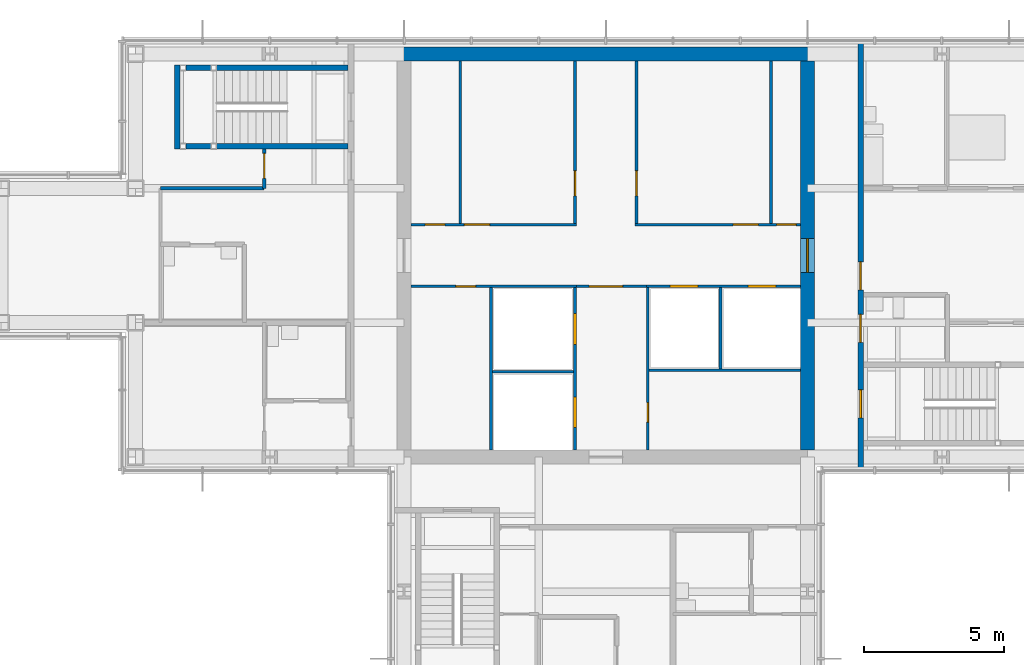
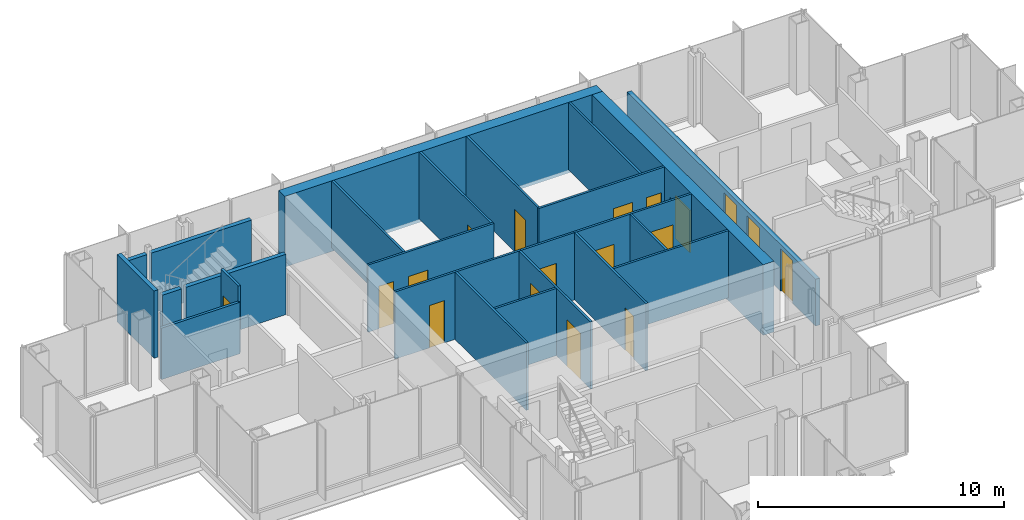
# One storey, part 11 of 15: 25 walls, 18 doors, 18 openings.
"""IFC4 building model written with IfcOpenShell, lengths in metres."""

from ifc_helpers import new_model, si_unit, direction, frame, frame_2d, origin, place, context, subcontext, project, spatial, rectangle, extrude, material, layer, layer_set, type_object, element, fill, save


model = new_model("IFC4")

# Units and contexts
model_context = context("Model", 3, precision=1e-05, world=origin(), true_north=direction((0.0, 1.0)))
body_context = subcontext(model_context, "Body", "Model", "MODEL_VIEW")
ifc_project = project(units=[si_unit("LENGTHUNIT", "METRE"), si_unit("AREAUNIT", "SQUARE_METRE"), si_unit("VOLUMEUNIT", "CUBIC_METRE"), si_unit("PLANEANGLEUNIT", "RADIAN"), si_unit("MASSUNIT", "GRAM", prefix="KILO")], contexts=[model_context])

# Site, building, storey
site_placement = place(None, origin())
site = spatial("IfcSite", under=ifc_project, at=site_placement, CompositionType="ELEMENT")
building_placement = place(site_placement, origin())
building = spatial("IfcBuilding", under=site, at=building_placement, Name="Kvirike Care Tower", CompositionType="ELEMENT")
storey_placement = place(building_placement, frame((0.0, 0.0, 229.5)))
storey = spatial("IfcBuildingStorey", under=building, at=storey_placement, Name="L63", CompositionType="ELEMENT", Elevation=229.5)

# Wall
ifc_material_1 = material(Name="Concrete C40/50", Category="concrete")
ifc_layer_1 = layer(ifc_material_1, 0.5)
ifc_layer_set_1 = layer_set([ifc_layer_1], Name="CORE WALL 500 C40-50")
wall_type_1 = type_object("IfcWallType", Name="CORE WALL 500 C40-50", PredefinedType="SHEAR", material=ifc_layer_set_1)
wall_1_placement = place(storey_placement, frame((29.050048828125, 43.199951171875, -0.169921875), z_axis=(0.0, 0.0, 1.0), x_axis=(-1.0, 0.0, 0.0)))
element("IfcWall", 1, at=wall_1_placement, inside=storey, type_object=wall_type_1, Name="Core wall N L63", PredefinedType="SHEAR", context=body_context, shape_type="SweptSolid", body=[
    extrude(rectangle(XDim=14.900146484375, YDim=0.5, at=frame_2d((7.4501953125, 0.0))), origin(), (0.0, 0.0, 1.0), 3.5),
])

# Wall, opening, door
wall_2_placement = place(storey_placement, frame((28.800048828125, 29.050048828125, -0.169921875), z_axis=(0.0, 0.0, 1.0), x_axis=(0.0, 1.0, 0.0)))
wall_2 = element("IfcWall", 2, at=wall_2_placement, inside=storey, type_object=wall_type_1, Name="Core wall E L63", PredefinedType="SHEAR", context=body_context, shape_type="SweptSolid", body=[
    extrude(rectangle(XDim=13.89990234375, YDim=0.5, at=frame_2d((6.949951171875, 0.0))), origin(), (0.0, 0.0, 1.0), 3.5),
])
opening_1_placement = place(wall_2_placement, frame((6.35009765625, 0.0, 0.169921875)))
opening_1 = element("IfcOpeningElement", 3, at=opening_1_placement, cuts=wall_2, Name="Opening 63-038", PredefinedType="OPENING", context=body_context, shape_type="SweptSolid", body=[
    extrude(rectangle(XDim=1.199951171875, YDim=2.10009765625, at=frame_2d((0.60009765625, 1.050048828125))), frame((0.0, 0.260498046875, 0.0), z_axis=(0.0, -1.0, 0.0), x_axis=(1.0, 0.0, 0.0)), (0.0, 0.0, 1.0), 0.52099609375),
])
ifc_material_2 = material(Name="Timber door set", Category="wood")
door_type_1 = type_object("IfcDoorType", Name="CORE DOOR 1200", OperationType="SINGLE_SWING_LEFT", PredefinedType="DOOR", material=ifc_material_2)
door_1_placement = place(opening_1_placement, origin())
door_1 = element("IfcDoor", 4, at=door_1_placement, inside=storey, type_object=door_type_1, Name="Core door E L63", OperationType="SINGLE_SWING_LEFT", OverallHeight=2.10009765625, OverallWidth=1.199951171875, PredefinedType="DOOR", context=body_context, shape_type="SweptSolid", body=[
    extrude(rectangle(XDim=1.199951171875, YDim=2.10009765625, at=frame_2d((0.60009765625, 1.050048828125))), frame((0.0, 0.02685546875, 0.0), z_axis=(0.0, -1.0, 0.0), x_axis=(1.0, 0.0, 0.0)), (0.0, 0.0, 1.0), 0.053955078125),
])
fill(opening_1, door_1)

# Wall, openings, doors
ifc_material_3 = material(Name="Plasterboard corridor wall", Category="gypsum")
ifc_layer_2 = layer(ifc_material_3, 0.199951171875)
ifc_layer_set_2 = layer_set([ifc_layer_2], Name="CORRIDOR WALL 200")
wall_type_2 = type_object("IfcWallType", Name="CORRIDOR WALL 200", PredefinedType="PARTITIONING", material=ifc_layer_set_2)
wall_3_placement = place(storey_placement, frame((30.699951171875, 28.344970703125, 0.0), z_axis=(0.0, 0.0, 1.0), x_axis=(0.0, 1.0, 0.0)))
wall_3 = element("IfcWall", 5, at=wall_3_placement, inside=storey, type_object=wall_type_2, Name="Corridor Wall 200 L63", PredefinedType="PARTITIONING", context=body_context, shape_type="SweptSolid", body=[
    extrude(rectangle(XDim=15.31005859375, YDim=0.199951171875, at=frame_2d((7.655029296875, 0.0))), origin(), (0.0, 0.0, 1.0), 2.320068359375),
])
opening_2_placement = place(wall_3_placement, frame((1.85498046875, 0.0, 0.0)))
opening_2 = element("IfcOpeningElement", 6, at=opening_2_placement, cuts=wall_3, Name="Opening 63-020", PredefinedType="OPENING", context=body_context, shape_type="SweptSolid", body=[
    extrude(rectangle(XDim=1.0, YDim=2.10009765625, at=frame_2d((0.5, 1.050048828125))), frame((0.0, 0.110595703125, 0.0), z_axis=(0.0, -1.0, 0.0), x_axis=(1.0, 0.0, 0.0)), (0.0, 0.0, 1.0), 0.220947265625),
])
opening_3_placement = place(wall_3_placement, frame((4.554931640625, 0.0, 0.0)))
opening_3 = element("IfcOpeningElement", 7, at=opening_3_placement, cuts=wall_3, Name="Opening 63-021", PredefinedType="OPENING", context=body_context, shape_type="SweptSolid", body=[
    extrude(rectangle(XDim=1.0, YDim=2.10009765625, at=frame_2d((0.5, 1.050048828125))), frame((0.0, 0.110595703125, 0.0), z_axis=(0.0, -1.0, 0.0), x_axis=(1.0, 0.0, 0.0)), (0.0, 0.0, 1.0), 0.220947265625),
])
opening_4_placement = place(wall_3_placement, frame((6.429931640625, 0.0, 0.0)))
opening_4 = element("IfcOpeningElement", 8, at=opening_4_placement, cuts=wall_3, Name="Opening 63-022", PredefinedType="OPENING", context=body_context, shape_type="SweptSolid", body=[
    extrude(rectangle(XDim=1.0, YDim=2.10009765625, at=frame_2d((0.5, 1.050048828125))), frame((0.0, 0.110595703125, 0.0), z_axis=(0.0, -1.0, 0.0), x_axis=(1.0, 0.0, 0.0)), (0.0, 0.0, 1.0), 0.220947265625),
])
ifc_material_4 = material(Name="Timber door set", Category="wood")
door_type_2 = type_object("IfcDoorType", Name="FLAT ENTRANCE DOOR 1000", OperationType="SINGLE_SWING_LEFT", PredefinedType="DOOR", material=ifc_material_4)
door_2_placement = place(opening_4_placement, frame((1.0, 0.0, 0.0), z_axis=(0.0, 0.0, 1.0), x_axis=(-1.0, 0.0, 0.0)))
door_2 = element("IfcDoor", 9, at=door_2_placement, inside=storey, type_object=door_type_2, Name="Two-bedroom apartment entrance", OperationType="SINGLE_SWING_LEFT", OverallHeight=2.10009765625, OverallWidth=1.0, PredefinedType="DOOR", context=body_context, shape_type="SweptSolid", body=[
    extrude(rectangle(XDim=1.0, YDim=2.10009765625, at=frame_2d((0.5, 1.050048828125))), frame((0.0, 0.02685546875, 0.0), z_axis=(0.0, -1.0, 0.0), x_axis=(1.0, 0.0, 0.0)), (0.0, 0.0, 1.0), 0.053955078125),
])
fill(opening_4, door_2)
ifc_material_5 = material(Name="Timber door set", Category="wood")
door_type_3 = type_object("IfcDoorType", Name="STAIR DOOR 1000", OperationType="SINGLE_SWING_LEFT", PredefinedType="DOOR", material=ifc_material_5)
door_3_placement = place(opening_2_placement, frame((1.0, 0.0, 0.0), z_axis=(0.0, 0.0, 1.0), x_axis=(-1.0, 0.0, 0.0)))
door_3 = element("IfcDoor", 10, at=door_3_placement, inside=storey, type_object=door_type_3, Name="Stair 2 door", OperationType="SINGLE_SWING_RIGHT", OverallHeight=2.10009765625, OverallWidth=1.0, PredefinedType="DOOR", context=body_context, shape_type="SweptSolid", body=[
    extrude(rectangle(XDim=1.0, YDim=2.10009765625, at=frame_2d((0.5, 1.050048828125))), frame((0.0, 0.031982421875, 0.0), z_axis=(0.0, -1.0, 0.0), x_axis=(1.0, 0.0, 0.0)), (0.0, 0.0, 1.0), 0.06396484375),
])
fill(opening_2, door_3)
ifc_material_6 = material(Name="Timber door set", Category="wood")
door_type_4 = type_object("IfcDoorType", Name="WC DOOR 1000", OperationType="SINGLE_SWING_LEFT", PredefinedType="DOOR", material=ifc_material_6)
door_4_placement = place(opening_3_placement, frame((1.0, 0.0, 0.0), z_axis=(0.0, 0.0, 1.0), x_axis=(-1.0, 0.0, 0.0)))
door_4 = element("IfcDoor", 11, at=door_4_placement, inside=storey, type_object=door_type_4, Name="Accessible WC door", OperationType="SINGLE_SWING_LEFT", OverallHeight=2.10009765625, OverallWidth=1.0, PredefinedType="DOOR", context=body_context, shape_type="SweptSolid", body=[
    extrude(rectangle(XDim=1.0, YDim=2.10009765625, at=frame_2d((0.5, 1.050048828125))), frame((0.0, 0.02685546875, 0.0), z_axis=(0.0, -1.0, 0.0), x_axis=(1.0, 0.0, 0.0)), (0.0, 0.0, 1.0), 0.053955078125),
])
fill(opening_3, door_4)

# Wall, opening, door
ifc_material_7 = material(Name="Plasterboard partition", Category="gypsum")
ifc_layer_3 = layer(ifc_material_7, 0.1201171875)
ifc_layer_set_3 = layer_set([ifc_layer_3], Name="PARTITION 120")
wall_type_3 = type_object("IfcWallType", Name="PARTITION 120", PredefinedType="PARTITIONING", material=ifc_layer_set_3)
wall_4_placement = place(storey_placement, frame((9.39990234375, 39.800048828125, 0.0), z_axis=(0.0, 0.0, 1.0), x_axis=(0.0, -1.0, 0.0)))
wall_4 = element("IfcWall", 12, at=wall_4_placement, inside=storey, type_object=wall_type_3, Name="Partition 120 L63", PredefinedType="PARTITIONING", context=body_context, shape_type="SweptSolid", body=[
    extrude(rectangle(XDim=1.400146484375, YDim=0.1201171875, at=frame_2d((0.7001953125, 0.0))), origin(), (0.0, 0.0, 1.0), 3.330078125),
])
opening_5_placement = place(wall_4_placement, frame((0.14990234375, 0.0, 0.0)))
opening_5 = element("IfcOpeningElement", 13, at=opening_5_placement, cuts=wall_4, Name="Opening 63-002", PredefinedType="OPENING", context=body_context, shape_type="SweptSolid", body=[
    extrude(rectangle(XDim=0.89990234375, YDim=2.10009765625, at=frame_2d((0.449951171875, 1.050048828125))), frame((0.0, 0.070556640625, 0.0), z_axis=(0.0, -1.0, 0.0), x_axis=(1.0, 0.0, 0.0)), (0.0, 0.0, 1.0), 0.14111328125),
])
ifc_material_8 = material(Name="Timber door set", Category="wood")
door_type_5 = type_object("IfcDoorType", Name="INTERNAL DOOR 900", OperationType="SINGLE_SWING_LEFT", PredefinedType="DOOR", material=ifc_material_8)
door_5_placement = place(opening_5_placement, origin())
door_5 = element("IfcDoor", 14, at=door_5_placement, inside=storey, type_object=door_type_5, Name="Staff training room door", OperationType="SINGLE_SWING_RIGHT", OverallHeight=2.10009765625, OverallWidth=0.89990234375, PredefinedType="DOOR", context=body_context, shape_type="SweptSolid", body=[
    extrude(rectangle(XDim=0.89990234375, YDim=2.10009765625, at=frame_2d((0.449951171875, 1.050048828125))), frame((0.0, 0.02197265625, 0.0), z_axis=(0.0, -1.0, 0.0), x_axis=(1.0, 0.0, 0.0)), (0.0, 0.0, 1.0), 0.0439453125),
])
fill(opening_5, door_5)

# Walls
wall_5_placement = place(storey_placement, frame((5.699951171875, 38.39990234375, 0.0), z_axis=(0.0, 0.0, 1.0), x_axis=(1.0, 0.0, 0.0)))
element("IfcWall", 15, at=wall_5_placement, inside=storey, type_object=wall_type_3, Name="Partition 120 L63", PredefinedType="PARTITIONING", context=body_context, shape_type="SweptSolid", body=[
    extrude(rectangle(XDim=3.699951171875, YDim=0.1201171875, at=frame_2d((1.85009765625, 0.0))), origin(), (0.0, 0.0, 1.0), 2.550048828125),
])
ifc_material_9 = material(Name="Gypsum shaft wall system", Category="gypsum")
ifc_layer_4 = layer(ifc_material_9, 0.10009765625)
ifc_layer_set_4 = layer_set([ifc_layer_4], Name="SHAFT WALL 100")
wall_type_4 = type_object("IfcWallType", Name="SHAFT WALL 100", PredefinedType="SOLIDWALL", material=ifc_layer_set_4)
for number, where, z_axis, x_axis, name in (
    (16, (16.39990234375, 37.14990234375, 0.0), (0.0, 0.0, 1.0), (0.0, 1.0, 0.0), "Shaft Wall 100 L63"),
    (17, (27.5, 37.14990234375, 0.0), (0.0, 0.0, 1.0), (0.0, 1.0, 0.0), "Shaft Wall 100 L63"),
):
    element("IfcWall", number, at=place(storey_placement, frame(where, z_axis=z_axis, x_axis=x_axis)), inside=storey, type_object=wall_type_4, Name=name, PredefinedType="SOLIDWALL", context=body_context, shape_type="SweptSolid", body=[
        extrude(rectangle(XDim=5.800048828125, YDim=0.10009765625, at=frame_2d((2.89990234375, 0.0))), origin(), (0.0, 0.0, 1.0), 3.330078125),
    ])

# Wall, openings, doors
wall_6_placement = place(storey_placement, frame((20.5, 29.050048828125, 0.0), z_axis=(0.0, 0.0, 1.0), x_axis=(0.0, 1.0, 0.0)))
wall_6 = element("IfcWall", 18, at=wall_6_placement, inside=storey, type_object=wall_type_4, Name="Shaft Wall 100 L63", PredefinedType="SOLIDWALL", context=body_context, shape_type="SweptSolid", body=[
    extrude(rectangle(XDim=5.800048828125, YDim=0.10009765625, at=frame_2d((2.89990234375, 0.0))), origin(), (0.0, 0.0, 1.0), 3.330078125),
])
opening_6_placement = place(wall_6_placement, frame((0.800048828125, 0.0, 0.0)))
opening_6 = element("IfcOpeningElement", 19, at=opening_6_placement, cuts=wall_6, Name="Opening 63-023", PredefinedType="OPENING", context=body_context, shape_type="SweptSolid", body=[
    extrude(rectangle(XDim=1.10009765625, YDim=2.300048828125, at=frame_2d((0.550048828125, 1.14990234375))), frame((0.0, 0.060546875, 0.0), z_axis=(0.0, -1.0, 0.0), x_axis=(1.0, 0.0, 0.0)), (0.0, 0.0, 1.0), 0.12109375),
])
opening_7_placement = place(wall_6_placement, frame((3.77490234375, 0.0, 0.0)))
opening_7 = element("IfcOpeningElement", 20, at=opening_7_placement, cuts=wall_6, Name="Opening 63-024", PredefinedType="OPENING", context=body_context, shape_type="SweptSolid", body=[
    extrude(rectangle(XDim=1.10009765625, YDim=2.300048828125, at=frame_2d((0.550048828125, 1.14990234375))), frame((0.0, 0.060546875, 0.0), z_axis=(0.0, -1.0, 0.0), x_axis=(1.0, 0.0, 0.0)), (0.0, 0.0, 1.0), 0.12109375),
])
ifc_material_10 = material(Name="Aluminium door frame", Category="aluminium")
door_type_6 = type_object("IfcDoorType", Name="FIRE-FIGHTING LIFT LANDING DOOR 1100", OperationType="SLIDING_TO_LEFT", PredefinedType="DOOR", material=ifc_material_10)
door_6_placement = place(opening_6_placement, origin())
door_6 = element("IfcDoor", 21, at=door_6_placement, inside=storey, type_object=door_type_6, Name="Lift FF1 landing door", OperationType="SLIDING_TO_LEFT", OverallHeight=2.300048828125, OverallWidth=1.10009765625, PredefinedType="DOOR", context=body_context, shape_type="SweptSolid", body=[
    extrude(rectangle(XDim=1.10009765625, YDim=2.300048828125, at=frame_2d((0.550048828125, 1.14990234375))), frame((0.0, 0.0498046875, 0.0), z_axis=(0.0, -1.0, 0.0), x_axis=(1.0, 0.0, 0.0)), (0.0, 0.0, 1.0), 0.099609375),
])
fill(opening_6, door_6)
door_7_placement = place(opening_7_placement, origin())
door_7 = element("IfcDoor", 22, at=door_7_placement, inside=storey, type_object=door_type_6, Name="Lift FF2 landing door", OperationType="SLIDING_TO_LEFT", OverallHeight=2.300048828125, OverallWidth=1.10009765625, PredefinedType="DOOR", context=body_context, shape_type="SweptSolid", body=[
    extrude(rectangle(XDim=1.10009765625, YDim=2.300048828125, at=frame_2d((0.550048828125, 1.14990234375))), frame((0.0, 0.0498046875, 0.0), z_axis=(0.0, -1.0, 0.0), x_axis=(1.0, 0.0, 0.0)), (0.0, 0.0, 1.0), 0.099609375),
])
fill(opening_7, door_7)

# Wall, opening, door
wall_7_placement = place(storey_placement, frame((20.5, 37.14990234375, 0.0), z_axis=(0.0, 0.0, 1.0), x_axis=(0.0, 1.0, 0.0)))
wall_7 = element("IfcWall", 23, at=wall_7_placement, inside=storey, type_object=wall_type_4, Name="Shaft Wall 100 L63", PredefinedType="SOLIDWALL", context=body_context, shape_type="SweptSolid", body=[
    extrude(rectangle(XDim=5.800048828125, YDim=0.10009765625, at=frame_2d((2.89990234375, 0.0))), origin(), (0.0, 0.0, 1.0), 3.330078125),
])
opening_8_placement = place(wall_7_placement, frame((0.97509765625, 0.0, 0.0)))
opening_8 = element("IfcOpeningElement", 24, at=opening_8_placement, cuts=wall_7, Name="Opening 63-025", PredefinedType="OPENING", context=body_context, shape_type="SweptSolid", body=[
    extrude(rectangle(XDim=0.89990234375, YDim=2.10009765625, at=frame_2d((0.449951171875, 1.050048828125))), frame((0.0, 0.060546875, 0.0), z_axis=(0.0, -1.0, 0.0), x_axis=(1.0, 0.0, 0.0)), (0.0, 0.0, 1.0), 0.12109375),
])
ifc_material_11 = material(Name="Timber door set", Category="wood")
door_type_7 = type_object("IfcDoorType", Name="STORE DOOR 900", OperationType="SINGLE_SWING_LEFT", PredefinedType="DOOR", material=ifc_material_11)
door_8_placement = place(opening_8_placement, origin())
door_8 = element("IfcDoor", 25, at=door_8_placement, inside=storey, type_object=door_type_7, Name="Housekeeping office door", OperationType="SINGLE_SWING_RIGHT", OverallHeight=2.10009765625, OverallWidth=0.89990234375, PredefinedType="DOOR", context=body_context, shape_type="SweptSolid", body=[
    extrude(rectangle(XDim=0.89990234375, YDim=2.10009765625, at=frame_2d((0.449951171875, 1.050048828125))), frame((0.0, 0.02685546875, 0.0), z_axis=(0.0, -1.0, 0.0), x_axis=(1.0, 0.0, 0.0)), (0.0, 0.0, 1.0), 0.053955078125),
])
fill(opening_8, door_8)

wall_8_placement = place(storey_placement, frame((22.699951171875, 37.14990234375, 0.0), z_axis=(0.0, 0.0, 1.0), x_axis=(0.0, 1.0, 0.0)))
wall_8 = element("IfcWall", 26, at=wall_8_placement, inside=storey, type_object=wall_type_4, Name="Shaft Wall 100 L63", PredefinedType="SOLIDWALL", context=body_context, shape_type="SweptSolid", body=[
    extrude(rectangle(XDim=5.800048828125, YDim=0.10009765625, at=frame_2d((2.89990234375, 0.0))), origin(), (0.0, 0.0, 1.0), 3.330078125),
])
opening_9_placement = place(wall_8_placement, frame((0.97509765625, 0.0, 0.0)))
opening_9 = element("IfcOpeningElement", 27, at=opening_9_placement, cuts=wall_8, Name="Opening 63-026", PredefinedType="OPENING", context=body_context, shape_type="SweptSolid", body=[
    extrude(rectangle(XDim=0.89990234375, YDim=2.10009765625, at=frame_2d((0.449951171875, 1.050048828125))), frame((0.0, 0.060546875, 0.0), z_axis=(0.0, -1.0, 0.0), x_axis=(1.0, 0.0, 0.0)), (0.0, 0.0, 1.0), 0.12109375),
])
door_9_placement = place(opening_9_placement, frame((0.89990234375, 0.0, 0.0), z_axis=(0.0, 0.0, 1.0), x_axis=(-1.0, 0.0, 0.0)))
door_9 = element("IfcDoor", 28, at=door_9_placement, inside=storey, type_object=door_type_7, Name="Staff room door", OperationType="SINGLE_SWING_LEFT", OverallHeight=2.10009765625, OverallWidth=0.89990234375, PredefinedType="DOOR", context=body_context, shape_type="SweptSolid", body=[
    extrude(rectangle(XDim=0.89990234375, YDim=2.10009765625, at=frame_2d((0.449951171875, 1.050048828125))), frame((0.0, 0.02685546875, 0.0), z_axis=(0.0, -1.0, 0.0), x_axis=(1.0, 0.0, 0.0)), (0.0, 0.0, 1.0), 0.053955078125),
])
fill(opening_9, door_9)

wall_9_placement = place(storey_placement, frame((23.10009765625, 29.050048828125, 0.0), z_axis=(0.0, 0.0, 1.0), x_axis=(0.0, 1.0, 0.0)))
wall_9 = element("IfcWall", 29, at=wall_9_placement, inside=storey, type_object=wall_type_4, Name="Shaft Wall 100 L63", PredefinedType="SOLIDWALL", context=body_context, shape_type="SweptSolid", body=[
    extrude(rectangle(XDim=5.800048828125, YDim=0.10009765625, at=frame_2d((2.89990234375, 0.0))), origin(), (0.0, 0.0, 1.0), 3.330078125),
])
opening_10_placement = place(wall_9_placement, frame((1.0, 0.0, 0.0)))
opening_10 = element("IfcOpeningElement", 30, at=opening_10_placement, cuts=wall_9, Name="Opening 63-027", PredefinedType="OPENING", context=body_context, shape_type="SweptSolid", body=[
    extrude(rectangle(XDim=0.699951171875, YDim=2.10009765625, at=frame_2d((0.35009765625, 1.050048828125))), frame((0.0, 0.060546875, 0.0), z_axis=(0.0, -1.0, 0.0), x_axis=(1.0, 0.0, 0.0)), (0.0, 0.0, 1.0), 0.12109375),
])
ifc_material_12 = material(Name="Timber door set", Category="wood")
door_type_8 = type_object("IfcDoorType", Name="RISER DOOR 700", OperationType="SINGLE_SWING_LEFT", PredefinedType="DOOR", material=ifc_material_12)
door_10_placement = place(opening_10_placement, origin())
door_10 = element("IfcDoor", 31, at=door_10_placement, inside=storey, type_object=door_type_8, Name="Riser door", OperationType="SINGLE_SWING_RIGHT", OverallHeight=2.10009765625, OverallWidth=0.699951171875, PredefinedType="DOOR", context=body_context, shape_type="SweptSolid", body=[
    extrude(rectangle(XDim=0.699951171875, YDim=2.10009765625, at=frame_2d((0.35009765625, 1.050048828125))), frame((0.0, 0.02685546875, 0.0), z_axis=(0.0, -1.0, 0.0), x_axis=(1.0, 0.0, 0.0)), (0.0, 0.0, 1.0), 0.053955078125),
])
fill(opening_10, door_10)

wall_10_placement = place(storey_placement, frame((14.64990234375, 34.89990234375, 0.0), z_axis=(0.0, 0.0, 1.0), x_axis=(1.0, 0.0, 0.0)))
wall_10 = element("IfcWall", 32, at=wall_10_placement, inside=storey, type_object=wall_type_4, Name="Shaft Wall 100 L63", PredefinedType="SOLIDWALL", context=body_context, shape_type="SweptSolid", body=[
    extrude(rectangle(XDim=5.900146484375, YDim=0.10009765625, at=frame_2d((2.9501953125, 0.0))), origin(), (0.0, 0.0, 1.0), 3.330078125),
])
opening_11_placement = place(wall_10_placement, frame((1.60009765625, 0.0, 0.0)))
opening_11 = element("IfcOpeningElement", 33, at=opening_11_placement, cuts=wall_10, Name="Opening 63-028", PredefinedType="OPENING", context=body_context, shape_type="SweptSolid", body=[
    extrude(rectangle(XDim=0.699951171875, YDim=2.10009765625, at=frame_2d((0.35009765625, 1.050048828125))), frame((0.0, 0.060546875, 0.0), z_axis=(0.0, -1.0, 0.0), x_axis=(1.0, 0.0, 0.0)), (0.0, 0.0, 1.0), 0.12109375),
])
door_11_placement = place(opening_11_placement, frame((0.699951171875, 0.0, 0.0), z_axis=(0.0, 0.0, 1.0), x_axis=(-1.0, 0.0, 0.0)))
door_11 = element("IfcDoor", 34, at=door_11_placement, inside=storey, type_object=door_type_8, Name="Riser door", OperationType="SINGLE_SWING_RIGHT", OverallHeight=2.10009765625, OverallWidth=0.699951171875, PredefinedType="DOOR", context=body_context, shape_type="SweptSolid", body=[
    extrude(rectangle(XDim=0.699951171875, YDim=2.10009765625, at=frame_2d((0.35009765625, 1.050048828125))), frame((0.0, 0.02685546875, 0.0), z_axis=(0.0, -1.0, 0.0), x_axis=(1.0, 0.0, 0.0)), (0.0, 0.0, 1.0), 0.053955078125),
])
fill(opening_11, door_11)

# Wall, openings, doors
wall_11_placement = place(storey_placement, frame((23.050048828125, 34.89990234375, 0.0), z_axis=(0.0, 0.0, 1.0), x_axis=(1.0, 0.0, 0.0)))
wall_11 = element("IfcWall", 35, at=wall_11_placement, inside=storey, type_object=wall_type_4, Name="Shaft Wall 100 L63", PredefinedType="SOLIDWALL", context=body_context, shape_type="SweptSolid", body=[
    extrude(rectangle(XDim=5.5, YDim=0.10009765625, at=frame_2d((2.75, 0.0))), origin(), (0.0, 0.0, 1.0), 3.330078125),
])
opening_12_placement = place(wall_11_placement, frame((0.85009765625, 0.0, 0.0)))
opening_12 = element("IfcOpeningElement", 36, at=opening_12_placement, cuts=wall_11, Name="Opening 63-029", PredefinedType="OPENING", context=body_context, shape_type="SweptSolid", body=[
    extrude(rectangle(XDim=1.0, YDim=2.10009765625, at=frame_2d((0.5, 1.050048828125))), frame((0.0, 0.060546875, 0.0), z_axis=(0.0, -1.0, 0.0), x_axis=(1.0, 0.0, 0.0)), (0.0, 0.0, 1.0), 0.12109375),
])
opening_13_placement = place(wall_11_placement, frame((3.625, 0.0, 0.0)))
opening_13 = element("IfcOpeningElement", 37, at=opening_13_placement, cuts=wall_11, Name="Opening 63-030", PredefinedType="OPENING", context=body_context, shape_type="SweptSolid", body=[
    extrude(rectangle(XDim=1.0, YDim=2.10009765625, at=frame_2d((0.5, 1.050048828125))), frame((0.0, 0.060546875, 0.0), z_axis=(0.0, -1.0, 0.0), x_axis=(1.0, 0.0, 0.0)), (0.0, 0.0, 1.0), 0.12109375),
])
ifc_material_13 = material(Name="Aluminium door frame", Category="aluminium")
door_type_9 = type_object("IfcDoorType", Name="LIFT LANDING DOOR 1000", OperationType="SLIDING_TO_LEFT", PredefinedType="DOOR", material=ifc_material_13)
door_12_placement = place(opening_12_placement, origin())
door_12 = element("IfcDoor", 38, at=door_12_placement, inside=storey, type_object=door_type_9, Name="Lift P5 landing door", OperationType="SLIDING_TO_LEFT", OverallHeight=2.10009765625, OverallWidth=1.0, PredefinedType="DOOR", context=body_context, shape_type="SweptSolid", body=[
    extrude(rectangle(XDim=1.0, YDim=2.10009765625, at=frame_2d((0.5, 1.050048828125))), frame((0.0, 0.0498046875, 0.0), z_axis=(0.0, -1.0, 0.0), x_axis=(1.0, 0.0, 0.0)), (0.0, 0.0, 1.0), 0.099609375),
])
fill(opening_12, door_12)
door_13_placement = place(opening_13_placement, origin())
door_13 = element("IfcDoor", 39, at=door_13_placement, inside=storey, type_object=door_type_9, Name="Lift P6 landing door", OperationType="SLIDING_TO_LEFT", OverallHeight=2.10009765625, OverallWidth=1.0, PredefinedType="DOOR", context=body_context, shape_type="SweptSolid", body=[
    extrude(rectangle(XDim=1.0, YDim=2.10009765625, at=frame_2d((0.5, 1.050048828125))), frame((0.0, 0.0498046875, 0.0), z_axis=(0.0, -1.0, 0.0), x_axis=(1.0, 0.0, 0.0)), (0.0, 0.0, 1.0), 0.099609375),
])
fill(opening_13, door_13)

wall_12_placement = place(storey_placement, frame((14.64990234375, 37.10009765625, 0.0), z_axis=(0.0, 0.0, 1.0), x_axis=(1.0, 0.0, 0.0)))
wall_12 = element("IfcWall", 40, at=wall_12_placement, inside=storey, type_object=wall_type_4, Name="Shaft Wall 100 L63", PredefinedType="SOLIDWALL", context=body_context, shape_type="SweptSolid", body=[
    extrude(rectangle(XDim=5.900146484375, YDim=0.10009765625, at=frame_2d((2.9501953125, 0.0))), origin(), (0.0, 0.0, 1.0), 3.330078125),
])
opening_14_placement = place(wall_12_placement, frame((0.5, 0.0, 0.0)))
opening_14 = element("IfcOpeningElement", 41, at=opening_14_placement, cuts=wall_12, Name="Opening 63-031", PredefinedType="OPENING", context=body_context, shape_type="SweptSolid", body=[
    extrude(rectangle(XDim=0.699951171875, YDim=2.10009765625, at=frame_2d((0.35009765625, 1.050048828125))), frame((0.0, 0.060546875, 0.0), z_axis=(0.0, -1.0, 0.0), x_axis=(1.0, 0.0, 0.0)), (0.0, 0.0, 1.0), 0.12109375),
])
opening_15_placement = place(wall_12_placement, frame((1.89990234375, 0.0, 0.0)))
opening_15 = element("IfcOpeningElement", 42, at=opening_15_placement, cuts=wall_12, Name="Opening 63-032", PredefinedType="OPENING", context=body_context, shape_type="SweptSolid", body=[
    extrude(rectangle(XDim=0.89990234375, YDim=2.10009765625, at=frame_2d((0.449951171875, 1.050048828125))), frame((0.0, 0.060546875, 0.0), z_axis=(0.0, -1.0, 0.0), x_axis=(1.0, 0.0, 0.0)), (0.0, 0.0, 1.0), 0.12109375),
])
door_14_placement = place(opening_14_placement, origin())
door_14 = element("IfcDoor", 43, at=door_14_placement, inside=storey, type_object=door_type_8, Name="Riser door", OperationType="SINGLE_SWING_RIGHT", OverallHeight=2.10009765625, OverallWidth=0.699951171875, PredefinedType="DOOR", context=body_context, shape_type="SweptSolid", body=[
    extrude(rectangle(XDim=0.699951171875, YDim=2.10009765625, at=frame_2d((0.35009765625, 1.050048828125))), frame((0.0, 0.02685546875, 0.0), z_axis=(0.0, -1.0, 0.0), x_axis=(1.0, 0.0, 0.0)), (0.0, 0.0, 1.0), 0.053955078125),
])
fill(opening_14, door_14)
door_15_placement = place(opening_15_placement, origin())
door_15 = element("IfcDoor", 44, at=door_15_placement, inside=storey, type_object=door_type_7, Name="Housekeeping office door", OperationType="SINGLE_SWING_RIGHT", OverallHeight=2.10009765625, OverallWidth=0.89990234375, PredefinedType="DOOR", context=body_context, shape_type="SweptSolid", body=[
    extrude(rectangle(XDim=0.89990234375, YDim=2.10009765625, at=frame_2d((0.449951171875, 1.050048828125))), frame((0.0, 0.02685546875, 0.0), z_axis=(0.0, -1.0, 0.0), x_axis=(1.0, 0.0, 0.0)), (0.0, 0.0, 1.0), 0.053955078125),
])
fill(opening_15, door_15)

wall_13_placement = place(storey_placement, frame((22.64990234375, 37.10009765625, 0.0), z_axis=(0.0, 0.0, 1.0), x_axis=(1.0, 0.0, 0.0)))
wall_13 = element("IfcWall", 45, at=wall_13_placement, inside=storey, type_object=wall_type_4, Name="Shaft Wall 100 L63", PredefinedType="SOLIDWALL", context=body_context, shape_type="SweptSolid", body=[
    extrude(rectangle(XDim=5.900146484375, YDim=0.10009765625, at=frame_2d((2.9501953125, 0.0))), origin(), (0.0, 0.0, 1.0), 3.330078125),
])
opening_16_placement = place(wall_13_placement, frame((3.5, 0.0, 0.0)))
opening_16 = element("IfcOpeningElement", 46, at=opening_16_placement, cuts=wall_13, Name="Opening 63-033", PredefinedType="OPENING", context=body_context, shape_type="SweptSolid", body=[
    extrude(rectangle(XDim=0.89990234375, YDim=2.10009765625, at=frame_2d((0.449951171875, 1.050048828125))), frame((0.0, 0.060546875, 0.0), z_axis=(0.0, -1.0, 0.0), x_axis=(1.0, 0.0, 0.0)), (0.0, 0.0, 1.0), 0.12109375),
])
opening_17_placement = place(wall_13_placement, frame((5.050048828125, 0.0, 0.0)))
opening_17 = element("IfcOpeningElement", 47, at=opening_17_placement, cuts=wall_13, Name="Opening 63-034", PredefinedType="OPENING", context=body_context, shape_type="SweptSolid", body=[
    extrude(rectangle(XDim=0.699951171875, YDim=2.10009765625, at=frame_2d((0.35009765625, 1.050048828125))), frame((0.0, 0.060546875, 0.0), z_axis=(0.0, -1.0, 0.0), x_axis=(1.0, 0.0, 0.0)), (0.0, 0.0, 1.0), 0.12109375),
])
door_16_placement = place(opening_17_placement, origin())
door_16 = element("IfcDoor", 48, at=door_16_placement, inside=storey, type_object=door_type_8, Name="Riser door", OperationType="SINGLE_SWING_RIGHT", OverallHeight=2.10009765625, OverallWidth=0.699951171875, PredefinedType="DOOR", context=body_context, shape_type="SweptSolid", body=[
    extrude(rectangle(XDim=0.699951171875, YDim=2.10009765625, at=frame_2d((0.35009765625, 1.050048828125))), frame((0.0, 0.02685546875, 0.0), z_axis=(0.0, -1.0, 0.0), x_axis=(1.0, 0.0, 0.0)), (0.0, 0.0, 1.0), 0.053955078125),
])
fill(opening_17, door_16)
door_17_placement = place(opening_16_placement, origin())
door_17 = element("IfcDoor", 49, at=door_17_placement, inside=storey, type_object=door_type_7, Name="Staff room door", OperationType="SINGLE_SWING_LEFT", OverallHeight=2.10009765625, OverallWidth=0.89990234375, PredefinedType="DOOR", context=body_context, shape_type="SweptSolid", body=[
    extrude(rectangle(XDim=0.89990234375, YDim=2.10009765625, at=frame_2d((0.449951171875, 1.050048828125))), frame((0.0, 0.02685546875, 0.0), z_axis=(0.0, -1.0, 0.0), x_axis=(1.0, 0.0, 0.0)), (0.0, 0.0, 1.0), 0.053955078125),
])
fill(opening_16, door_17)

# Wall, opening, door
wall_14_placement = place(storey_placement, frame((20.550048828125, 34.89990234375, 0.0), z_axis=(0.0, 0.0, 1.0), x_axis=(1.0, 0.0, 0.0)))
wall_14 = element("IfcWall", 50, at=wall_14_placement, inside=storey, type_object=wall_type_4, Name="Shaft Wall 100 L63", PredefinedType="SOLIDWALL", context=body_context, shape_type="SweptSolid", body=[
    extrude(rectangle(XDim=2.5, YDim=0.10009765625, at=frame_2d((1.25, 0.0))), origin(), (0.0, 0.0, 1.0), 3.330078125),
])
opening_18_placement = place(wall_14_placement, frame((0.449951171875, 0.0, 0.0)))
opening_18 = element("IfcOpeningElement", 51, at=opening_18_placement, cuts=wall_14, Name="Opening 63-035", PredefinedType="OPENING", context=body_context, shape_type="SweptSolid", body=[
    extrude(rectangle(XDim=1.199951171875, YDim=2.10009765625, at=frame_2d((0.60009765625, 1.050048828125))), frame((0.0, 0.060546875, 0.0), z_axis=(0.0, -1.0, 0.0), x_axis=(1.0, 0.0, 0.0)), (0.0, 0.0, 1.0), 0.12109375),
])
door_18_placement = place(opening_18_placement, frame((1.199951171875, 0.0, 0.0), z_axis=(0.0, 0.0, 1.0), x_axis=(-1.0, 0.0, 0.0)))
door_18 = element("IfcDoor", 52, at=door_18_placement, inside=storey, type_object=door_type_1, Name="Fire-fighting lobby door", OperationType="SINGLE_SWING_LEFT", OverallHeight=2.10009765625, OverallWidth=1.199951171875, PredefinedType="DOOR", context=body_context, shape_type="SweptSolid", body=[
    extrude(rectangle(XDim=1.199951171875, YDim=2.10009765625, at=frame_2d((0.60009765625, 1.050048828125))), frame((0.0, 0.02685546875, 0.0), z_axis=(0.0, -1.0, 0.0), x_axis=(1.0, 0.0, 0.0)), (0.0, 0.0, 1.0), 0.053955078125),
])
fill(opening_18, door_18)

# Walls
wall_15_placement = place(storey_placement, frame((17.5, 29.050048828125, 0.0), z_axis=(0.0, 0.0, 1.0), x_axis=(0.0, 1.0, 0.0)))
element("IfcWall", 53, at=wall_15_placement, inside=storey, type_object=wall_type_4, Name="Shaft Wall 100 L63", PredefinedType="SOLIDWALL", context=body_context, shape_type="SweptSolid", body=[
    extrude(rectangle(XDim=5.800048828125, YDim=0.10009765625, at=frame_2d((2.89990234375, 0.0))), origin(), (0.0, 0.0, 1.0), 3.330078125),
])
wall_16_placement = place(storey_placement, frame((17.550048828125, 31.85009765625, 0.0), z_axis=(0.0, 0.0, 1.0), x_axis=(1.0, 0.0, 0.0)))
element("IfcWall", 54, at=wall_16_placement, inside=storey, type_object=wall_type_4, Name="Shaft Wall 100 L63", PredefinedType="SOLIDWALL", context=body_context, shape_type="SweptSolid", body=[
    extrude(rectangle(XDim=2.89990234375, YDim=0.10009765625, at=frame_2d((1.449951171875, 0.0))), origin(), (0.0, 0.0, 1.0), 3.330078125),
])
wall_17_placement = place(storey_placement, frame((25.699951171875, 31.949951171875, 0.0), z_axis=(0.0, 0.0, 1.0), x_axis=(0.0, 1.0, 0.0)))
element("IfcWall", 55, at=wall_17_placement, inside=storey, type_object=wall_type_4, Name="Shaft Wall 100 L63", PredefinedType="SOLIDWALL", context=body_context, shape_type="SweptSolid", body=[
    extrude(rectangle(XDim=2.900146484375, YDim=0.10009765625, at=frame_2d((1.4501953125, 0.0))), origin(), (0.0, 0.0, 1.0), 3.330078125),
])
wall_18_placement = place(storey_placement, frame((23.14990234375, 31.89990234375, 0.0), z_axis=(0.0, 0.0, 1.0), x_axis=(1.0, 0.0, 0.0)))
element("IfcWall", 56, at=wall_18_placement, inside=storey, type_object=wall_type_4, Name="Shaft Wall 100 L63", PredefinedType="SOLIDWALL", context=body_context, shape_type="SweptSolid", body=[
    extrude(rectangle(XDim=5.400146484375, YDim=0.10009765625, at=frame_2d((2.7001953125, 0.0))), origin(), (0.0, 0.0, 1.0), 3.330078125),
])
ifc_material_14 = material(Name="Concrete C40/50", Category="concrete")
ifc_layer_5 = layer(ifc_material_14, 0.199951171875)
ifc_layer_set_5 = layer_set([ifc_layer_5], Name="STAIR WALL 200")
wall_type_5 = type_object("IfcWallType", Name="STAIR WALL 200", PredefinedType="SOLIDWALL", material=ifc_layer_set_5)
wall_19_placement = place(storey_placement, frame((6.60009765625, 42.699951171875, 0.0), z_axis=(0.0, 0.0, 1.0), x_axis=(1.0, 0.0, 0.0)))
element("IfcWall", 57, at=wall_19_placement, inside=storey, type_object=wall_type_5, Name="Stair Wall 200 L63", PredefinedType="SOLIDWALL", context=body_context, shape_type="SweptSolid", body=[
    extrude(rectangle(XDim=0.89990234375, YDim=0.199951171875, at=frame_2d((0.449951171875, 0.0))), origin(), (0.0, 0.0, 1.0), 2.989990234375),
])
wall_20_placement = place(storey_placement, frame((7.699951171875, 42.699951171875, 0.0), z_axis=(0.0, 0.0, 1.0), x_axis=(1.0, 0.0, 0.0)))
element("IfcWall", 58, at=wall_20_placement, inside=storey, type_object=wall_type_5, Name="Stair Wall 200 L63", PredefinedType="SOLIDWALL", context=body_context, shape_type="SweptSolid", body=[
    extrude(rectangle(XDim=4.699951171875, YDim=0.199951171875, at=frame_2d((2.35009765625, 0.0))), origin(), (0.0, 0.0, 1.0), 2.989990234375),
])
wall_21_placement = place(storey_placement, frame((6.60009765625, 39.89990234375, 0.0), z_axis=(0.0, 0.0, 1.0), x_axis=(1.0, 0.0, 0.0)))
element("IfcWall", 59, at=wall_21_placement, inside=storey, type_object=wall_type_5, Name="Stair Wall 200 L63", PredefinedType="SOLIDWALL", context=body_context, shape_type="SweptSolid", body=[
    extrude(rectangle(XDim=0.89990234375, YDim=0.199951171875, at=frame_2d((0.449951171875, 0.0))), origin(), (0.0, 0.0, 1.0), 2.989990234375),
])
wall_22_placement = place(storey_placement, frame((7.699951171875, 39.89990234375, 0.0), z_axis=(0.0, 0.0, 1.0), x_axis=(1.0, 0.0, 0.0)))
element("IfcWall", 60, at=wall_22_placement, inside=storey, type_object=wall_type_5, Name="Stair Wall 200 L63", PredefinedType="SOLIDWALL", context=body_context, shape_type="SweptSolid", body=[
    extrude(rectangle(XDim=4.699951171875, YDim=0.199951171875, at=frame_2d((2.35009765625, 0.0))), origin(), (0.0, 0.0, 1.0), 2.989990234375),
])
wall_23_placement = place(storey_placement, frame((6.300048828125, 42.800048828125, 0.0), z_axis=(0.0, 0.0, 1.0), x_axis=(0.0, -1.0, 0.0)))
element("IfcWall", 61, at=wall_23_placement, inside=storey, type_object=wall_type_5, Name="Stair Wall 200 L63", PredefinedType="SOLIDWALL", context=body_context, shape_type="SweptSolid", body=[
    extrude(rectangle(XDim=3.0, YDim=0.199951171875, at=frame_2d((1.5, 0.0))), origin(), (0.0, 0.0, 1.0), 3.330078125),
])

save(model, "model.ifc")
